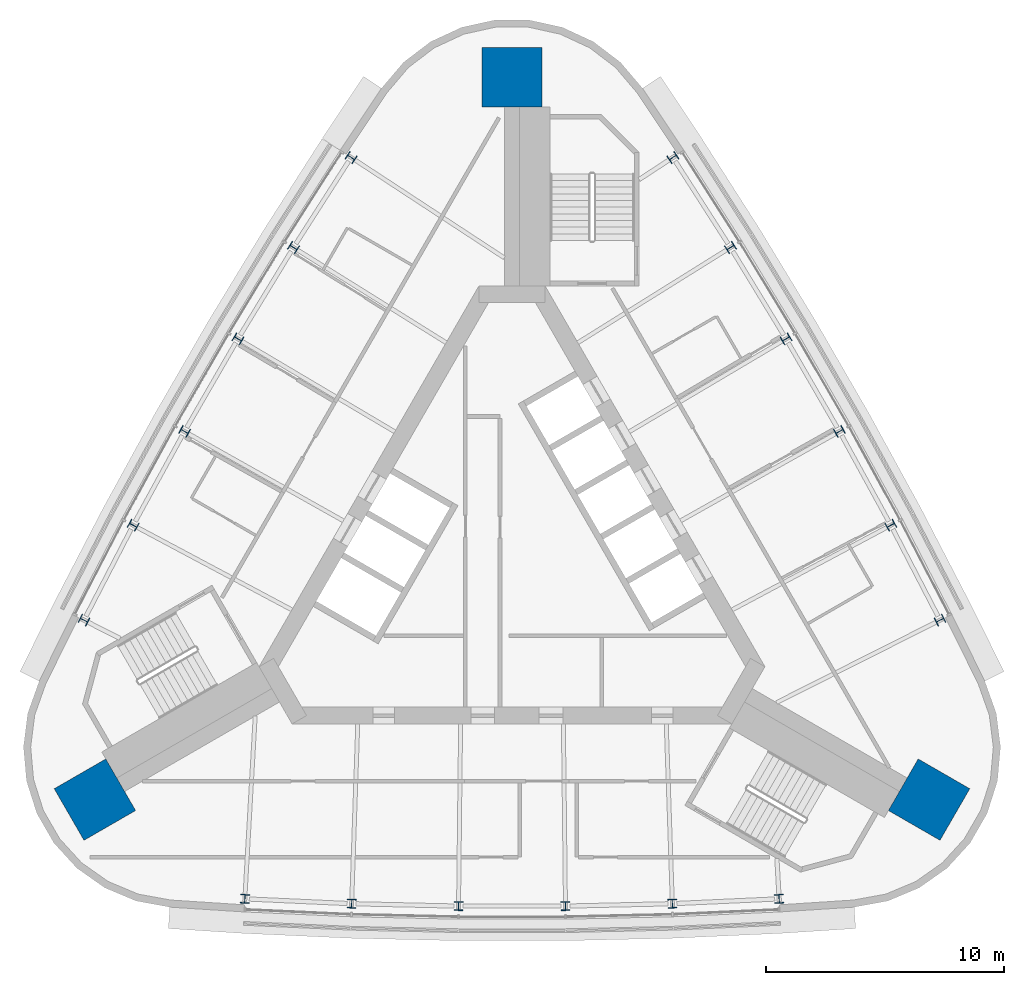
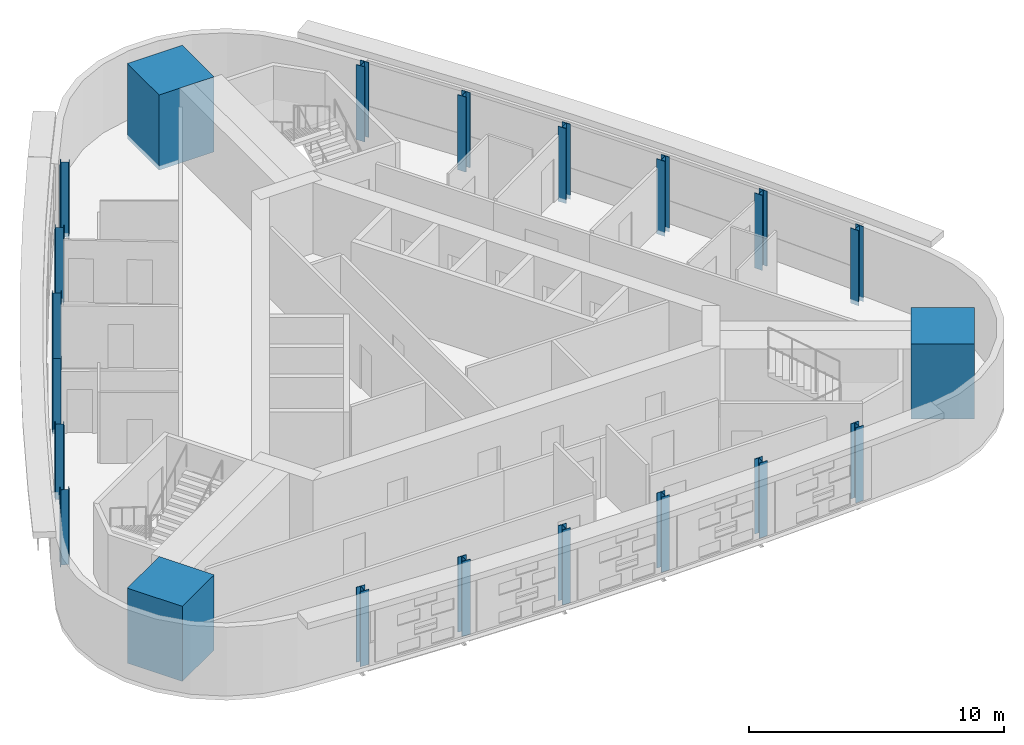
# One storey, part 1 of 9: 21 columns.
"""IFC4 building model written with IfcOpenShell, lengths in metres."""

from ifc_helpers import new_model, si_unit, direction, frame, origin, origin_2d, place, context, subcontext, project, spatial, rectangle, i_section, extrude, material, material_profile, profile_set, type_object, element, save


model = new_model("IFC4")

# Units and contexts
model_context = context("Model", 3, precision=1e-05, world=origin(), true_north=direction((0.0, 1.0)))
body_context = subcontext(model_context, "Body", "Model", "MODEL_VIEW")
ifc_project = project(units=[si_unit("LENGTHUNIT", "METRE"), si_unit("AREAUNIT", "SQUARE_METRE"), si_unit("VOLUMEUNIT", "CUBIC_METRE"), si_unit("PLANEANGLEUNIT", "RADIAN"), si_unit("MASSUNIT", "GRAM", prefix="KILO")], contexts=[model_context])

# Site, building, storey
site_placement = place(None, origin())
site = spatial("IfcSite", under=ifc_project, at=site_placement, CompositionType="ELEMENT")
building_placement = place(site_placement, origin())
building = spatial("IfcBuilding", under=site, at=building_placement, Name="Noor Cloister Tower", CompositionType="ELEMENT")
storey_placement = place(building_placement, frame((0.0, 0.0, 236.39990234375)))
storey = spatial("IfcBuildingStorey", under=building, at=storey_placement, Name="L61", CompositionType="ELEMENT", Elevation=236.39990234375)

# Columns
ifc_material_1 = material(Name="Steel ASTM A992 Gr 50", Category="steel")
ifc_material_profile_1 = material_profile(ifc_material_1, i_section(OverallWidth=0.373046875, OverallDepth=0.367919921875, WebThickness=0.014892578125, FlangeThickness=0.02392578125, FilletRadius=0.01513671875, at=origin_2d()), Name="W360x179")
ifc_profile_set_1 = profile_set([ifc_material_profile_1], Name="Steel ASTM A992 Gr 50")
column_type_1 = type_object("IfcColumnType", Name="Column W360x179", PredefinedType="COLUMN", material=ifc_profile_set_1)
for number, where, z_axis, x_axis, name in (
    (1, (-6.752685546875, 16.84619140625, -0.199951171875), (0.0, 0.0, 1.0), (-0.5482122141, -0.836339266274, 0.0), "Column NW 01 L61"),
    (2, (-9.169921875, 13.0654296875, -0.199951171875), (0.0, 0.0, 1.0), (-0.529129681863, -0.84854097118, 0.0), "Column NW 02 L61"),
    (3, (-11.501220703125, 9.23095703125, -0.199951171875), (0.0, 0.0, 1.0), (-0.509775693078, -0.860307353652, 0.0), "Column NW 03 L61"),
    (4, (-13.744873046875, 5.3447265625, -0.199951171875), (0.0, 0.0, 1.0), (-0.490160176786, -0.871632377263, 0.0), "Column NW 04 L61"),
    (5, (-15.89990234375, 1.40869140625, -0.199951171875), (0.0, 0.0, 1.0), (-0.470293196262, -0.88251023198, 0.0), "Column NW 05 L61"),
    (6, (-17.96533203125, -2.5751953125, -0.199951171875), (0.0, 0.0, 1.0), (-0.450184943726, -0.892935337212, 0.0), "Column NW 06 L61"),
    (7, (-11.212890625, -14.27099609375, -0.199951171875), (0.0, 0.0, 1.0), (0.998397157826, -0.056596070938, 0.0), "Column S 01 L61"),
    (8, (-6.72998046875, -14.47412109375, -0.199951171875), (0.0, 0.0, 1.0), (0.999422878126, -0.0339692608, 0.0), "Column S 02 L61"),
    (9, (-2.24365234375, -14.575927734375, -0.199951171875), (0.0, 0.0, 1.0), (0.999935869864, -0.011325023611, 0.0), "Column S 03 L61"),
    (10, (2.24365234375, -14.575927734375, -0.199951171875), (0.0, 0.0, 1.0), (0.999935869864, 0.011325023611, 0.0), "Column S 04 L61"),
    (11, (6.72998046875, -14.47412109375, -0.199951171875), (0.0, 0.0, 1.0), (0.999422878126, 0.0339692608, 0.0), "Column S 05 L61"),
    (12, (11.212890625, -14.27099609375, -0.199951171875), (0.0, 0.0, 1.0), (0.998397157826, 0.056596070938, 0.0), "Column S 06 L61"),
    (13, (17.96533203125, -2.5751953125, -0.199951171875), (0.0, 0.0, 1.0), (-0.450184943726, 0.892935337212, 0.0), "Column NE 01 L61"),
    (14, (15.89990234375, 1.40869140625, -0.199951171875), (0.0, 0.0, 1.0), (-0.470293196262, 0.88251023198, 0.0), "Column NE 02 L61"),
    (15, (13.744873046875, 5.3447265625, -0.199951171875), (0.0, 0.0, 1.0), (-0.490160176786, 0.871632377263, 0.0), "Column NE 03 L61"),
    (16, (11.501220703125, 9.23095703125, -0.199951171875), (0.0, 0.0, 1.0), (-0.509775693078, 0.860307353652, 0.0), "Column NE 04 L61"),
    (17, (9.169921875, 13.0654296875, -0.199951171875), (0.0, 0.0, 1.0), (-0.529129681863, 0.84854097118, 0.0), "Column NE 05 L61"),
    (18, (6.752685546875, 16.84619140625, -0.199951171875), (0.0, 0.0, 1.0), (-0.5482122141, 0.836339266274, 0.0), "Column NE 06 L61"),
):
    element("IfcColumn", number, at=place(storey_placement, frame(where, z_axis=z_axis, x_axis=x_axis)), inside=storey, type_object=column_type_1, Name=name, PredefinedType="COLUMN", context=body_context, shape_type="SweptSolid", body=[
        extrude(i_section(OverallWidth=0.373046875, OverallDepth=0.367919921875, WebThickness=0.014892578125, FlangeThickness=0.02392578125, FilletRadius=0.01513671875, at=origin_2d()), origin(), (0.0, 0.0, 1.0), 3.60009765625),
    ])
ifc_material_2 = material(Name="Concrete C60/75", Category="concrete")
ifc_material_profile_2 = material_profile(ifc_material_2, rectangle(XDim=2.5, YDim=2.5, at=origin_2d()), Name="RC 2500x2500")
ifc_profile_set_2 = profile_set([ifc_material_profile_2], Name="Concrete C60/75")
column_type_2 = type_object("IfcColumnType", Name="Corner pier 2500 x 2500 C60/75", PredefinedType="COLUMN", material=ifc_profile_set_2)
for number, where, z_axis, x_axis, name in (
    (19, (0.0, 20.212890625, -0.199951171875), (0.0, 0.0, 1.0), (0.0, 1.0, 0.0), "Corner pier N L61"),
    (20, (-17.5048828125, -10.1064453125, -0.199951171875), (0.0, 0.0, 1.0), (-0.866025403784, -0.5, 0.0), "Corner pier SW L61"),
    (21, (17.5048828125, -10.1064453125, -0.199951171875), (0.0, 0.0, 1.0), (0.866025403784, -0.5, 0.0), "Corner pier SE L61"),
):
    element("IfcColumn", number, at=place(storey_placement, frame(where, z_axis=z_axis, x_axis=x_axis)), inside=storey, type_object=column_type_2, Name=name, PredefinedType="COLUMN", context=body_context, shape_type="SweptSolid", body=[
        extrude(rectangle(XDim=2.5, YDim=2.5, at=origin_2d()), origin(), (0.0, 0.0, 1.0), 3.60009765625),
    ])

save(model, "model.ifc")
